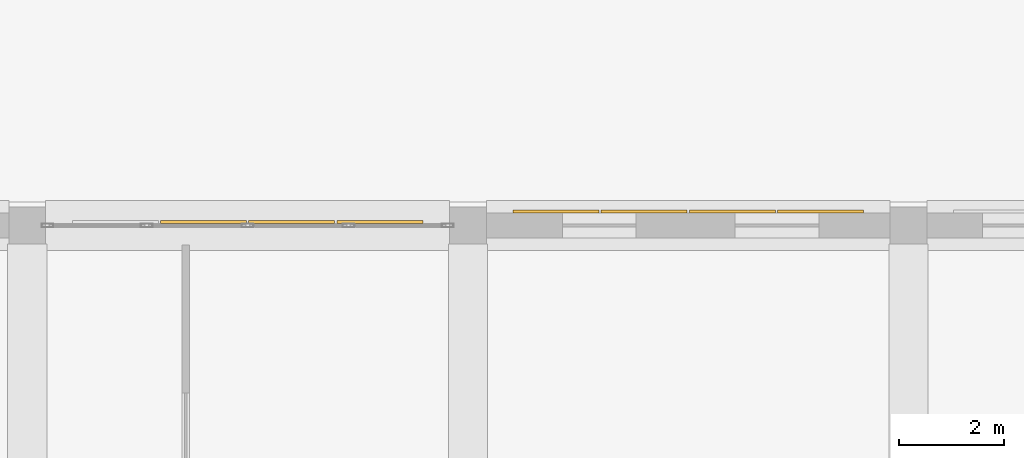
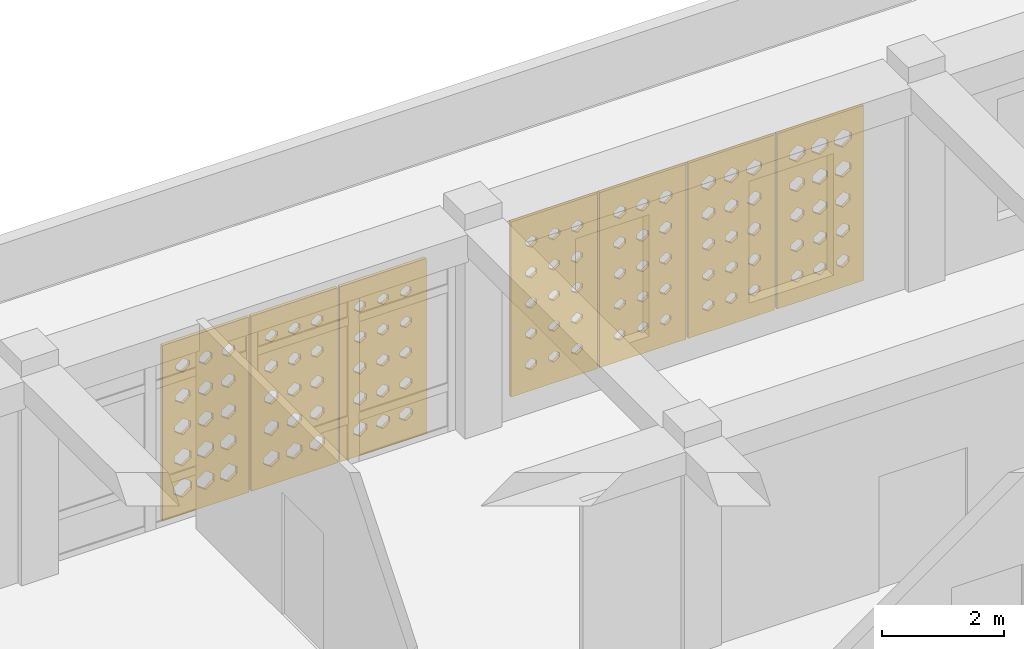
# One storey, part 82 of 100: 7 coverings.
"""IFC4 building model written with IfcOpenShell, lengths in metres."""

import ifcopenshell
import ifcopenshell.guid

model = None  # the IFC model being written
_history = None  # IfcOwnerHistory: only IFC2X3 demands one
_inside = {}  # id of a spatial element -> (the spatial element, [elements in it])
_under = {}  # id of a project, library or spatial element -> (it, [spatial elements below it])
_declared = {}  # id of a project -> (the project, [libraries it declares])
_typed = {}  # id of a type object -> (the type object, [elements of that type])
_made_of = {}  # id of a material, layer set ... -> (it, [elements and type objects made of it])


def new_model(schema):
    """Start an empty IFC model of exactly this schema.

    Asked for "IFC4X3", IfcOpenShell would pick the latest addendum, in which some entities
    have other attributes; the version numbers below select the first issue.
    IFC2X3 requires an IfcOwnerHistory on every rooted entity: one is made here for all.
    """
    global model, _history
    if schema == "IFC4X3":
        model = ifcopenshell.file(schema_version=(4, 3, 0, 0))
    else:
        model = ifcopenshell.file(schema=schema)
    _inside.clear()
    _under.clear()
    _declared.clear()
    _typed.clear()
    _made_of.clear()
    _history = None
    if model.schema == "IFC2X3":
        org = make("IfcOrganization", Name="unknown")
        user = make(
            "IfcPersonAndOrganization",
            ThePerson=make("IfcPerson", FamilyName="unknown"),
            TheOrganization=org,
        )
        app = make(
            "IfcApplication",
            ApplicationDeveloper=org,
            Version="unknown",
            ApplicationFullName="unknown",
            ApplicationIdentifier="unknown",
        )
        _history = make(
            "IfcOwnerHistory",
            OwningUser=user,
            OwningApplication=app,
            ChangeAction="ADDED",
            CreationDate=0,
        )
    return model


def make(cls, **values):
    """One entity of the class cls with the attributes given. An attribute that is None is left unset."""
    return model.create_entity(
        cls, **{name: value for name, value in values.items() if value is not None}
    )


def rooted(cls, **values):
    """An entity with a GlobalId (a new one), such as an element, a storey or a relation."""
    return make(cls, GlobalId=ifcopenshell.guid.new(), OwnerHistory=_history, **values)


def si_unit(unit_type, name, prefix=None):
    """IfcSIUnit, for example si_unit("LENGTHUNIT", "METRE", prefix="MILLI")."""
    return make("IfcSIUnit", UnitType=unit_type, Prefix=prefix, Name=name)


def derived_unit(unit_type, elements):
    """IfcDerivedUnit: a product of units, each with its exponent."""
    return make(
        "IfcDerivedUnit",
        Elements=[
            make("IfcDerivedUnitElement", Unit=unit, Exponent=power)
            for unit, power in elements
        ],
        UnitType=unit_type,
    )


def assignment(units):
    """IfcUnitAssignment: the units of a project."""
    return None if units is None else make("IfcUnitAssignment", Units=units)


def point(xyz):
    """IfcCartesianPoint."""
    return None if xyz is None else make("IfcCartesianPoint", Coordinates=xyz)


def direction(xyz):
    """IfcDirection."""
    return None if xyz is None else make("IfcDirection", DirectionRatios=xyz)


def frame(location, z_axis=None, x_axis=None):
    """IfcAxis2Placement3D, a coordinate frame: its origin and axes. An axis left out is left unset."""
    return make(
        "IfcAxis2Placement3D",
        Location=point(location),
        Axis=direction(z_axis),
        RefDirection=direction(x_axis),
    )


def origin():
    """The frame at (0, 0, 0) with its axes left unset."""
    return frame((0.0, 0.0, 0.0))


def place(relative_to, where):
    """IfcLocalPlacement: puts the frame where relative to a parent placement (None: the world)."""
    return make(
        "IfcLocalPlacement", PlacementRelTo=relative_to, RelativePlacement=where
    )


def context(
    kind, dimensions, precision=None, world=None, true_north=None, identifier=None
):
    """IfcGeometricRepresentationContext, for example the 3D "Model" context."""
    return make(
        "IfcGeometricRepresentationContext",
        ContextIdentifier=identifier,
        ContextType=kind,
        CoordinateSpaceDimension=dimensions,
        Precision=precision,
        WorldCoordinateSystem=world,
        TrueNorth=true_north,
    )


def subcontext(parent, identifier, kind, view, scale=None):
    """IfcGeometricRepresentationSubContext, for example "Body" below "Model"."""
    return make(
        "IfcGeometricRepresentationSubContext",
        ContextIdentifier=identifier,
        ContextType=kind,
        ParentContext=parent,
        TargetScale=scale,
        TargetView=view,
    )


def project(units=None, contexts=None):
    """IfcProject with its units and contexts."""
    return rooted(
        "IfcProject",
        Name="project",
        RepresentationContexts=contexts,
        UnitsInContext=assignment(units),
    )


def spatial(cls, under=None, at=None, **own):
    """A site, building, storey or space (cls), placed at a placement, below another one or the project."""
    s = rooted(cls, ObjectPlacement=at, **own)
    if under is not None:
        _under.setdefault(under.id(), (under, []))[1].append(s)
    return s


def polyline(points):
    """IfcPolyline through the points."""
    return make("IfcPolyline", Points=[point(p) for p in points])


def outline(outer, holes=None, kind="AREA"):
    """IfcArbitraryClosedProfileDef: a profile drawn as a closed curve; with holes, ...WithVoids."""
    if holes is None:
        return make("IfcArbitraryClosedProfileDef", ProfileType=kind, OuterCurve=outer)
    return make(
        "IfcArbitraryProfileDefWithVoids",
        ProfileType=kind,
        OuterCurve=outer,
        InnerCurves=holes,
    )


def extrude(swept, where, along, depth):
    """IfcExtrudedAreaSolid: the profile swept, set in the frame where, extruded along a direction by depth."""
    return make(
        "IfcExtrudedAreaSolid",
        SweptArea=swept,
        Position=where,
        ExtrudedDirection=direction(along),
        Depth=depth,
    )


def shape(context_of_items, identifier, shape_type, items):
    """IfcShapeRepresentation: the items that make up one representation, for example the "Body"."""
    return make(
        "IfcShapeRepresentation",
        ContextOfItems=context_of_items,
        RepresentationIdentifier=identifier,
        RepresentationType=shape_type,
        Items=items,
    )


def material(Name=None, Category=None):
    """IfcMaterial."""
    return make("IfcMaterial", Name=Name, Category=Category)


def layer(
    of_material, thickness, ventilated=None, Name=None, Category=None, Priority=None
):
    """IfcMaterialLayer: one layer of a wall or slab, of a material (None: an air gap)."""
    return make(
        "IfcMaterialLayer",
        Material=of_material,
        LayerThickness=thickness,
        IsVentilated=ventilated,
        Name=Name,
        Category=Category,
        Priority=Priority,
    )


def layer_set(layers, Name=None):
    """IfcMaterialLayerSet."""
    return make("IfcMaterialLayerSet", MaterialLayers=layers, LayerSetName=Name)


def made_of(thing, what):
    """Note that an element or type object is made of a material, layer set ...; save() writes the relation."""
    if what is not None:
        _made_of.setdefault(what.id(), (what, []))[1].append(thing)
    return thing


def type_object(cls, material=None, **own):
    """A type object (cls), such as IfcWallType, which elements share."""
    return made_of(rooted(cls, **own), material)


def element(
    cls,
    number,
    at=None,
    inside=None,
    cuts=None,
    type_object=None,
    material=None,
    context=None,
    identifier="Body",
    shape_type=None,
    held_by="IfcProductDefinitionShape",
    body=None,
    shapes=None,
    **own,
):
    """One element of the class cls, such as IfcWall. Its Tag is "e" and its number.

    at: its placement. inside: the storey or other place that contains it. cuts: it is an
    opening in that element (IfcRelVoidsElement). A single representation is given by context,
    identifier, shape_type and body (its items); several are given by shapes. held_by: the class
    of the entity that holds the representations. save() writes the other relations.
    """
    e = rooted(cls, Tag="e%d" % number, ObjectPlacement=at, **own)
    if body is not None:
        shapes = [shape(context, identifier, shape_type, body)]
    if shapes is not None:
        e.Representation = make(held_by, Representations=shapes)
    if inside is not None:
        _inside.setdefault(inside.id(), (inside, []))[1].append(e)
    if cuts is not None:
        rooted(
            "IfcRelVoidsElement", RelatingBuildingElement=cuts, RelatedOpeningElement=e
        )
    if type_object is not None:
        _typed.setdefault(type_object.id(), (type_object, []))[1].append(e)
    return made_of(e, material)


def aggregate(whole, parts):
    """IfcRelAggregates: a whole, such as a stair, and the parts it consists of."""
    return rooted("IfcRelAggregates", RelatingObject=whole, RelatedObjects=parts)


def save(model, path):
    """Write the relations noted so far, then the file.

    IfcRelAggregates (storeys below a building ...), IfcRelContainedInSpatialStructure (elements
    in a storey), IfcRelDefinesByType, IfcRelAssociatesMaterial and IfcRelDeclares: one each for
    every whole, place, type object, material and project.
    """
    for whole, parts in _under.values():
        aggregate(whole, parts)
    for where, things in _inside.values():
        rooted(
            "IfcRelContainedInSpatialStructure",
            RelatedElements=things,
            RelatingStructure=where,
        )
    for kind, things in _typed.values():
        rooted("IfcRelDefinesByType", RelatedObjects=things, RelatingType=kind)
    for what, things in _made_of.values():
        rooted("IfcRelAssociatesMaterial", RelatedObjects=things, RelatingMaterial=what)
    for by, libraries in _declared.values():
        rooted("IfcRelDeclares", RelatingContext=by, RelatedDefinitions=libraries)
    model.write(path)


model = new_model("IFC4")

# Units and contexts
model_context = context("Model", 3, precision=1e-05, world=origin(), true_north=direction((0.0, 1.0)))
body_context = subcontext(model_context, "Body", "Model", "MODEL_VIEW")
ifc_project = project(units=[si_unit("LENGTHUNIT", "METRE"), si_unit("AREAUNIT", "SQUARE_METRE"), si_unit("VOLUMEUNIT", "CUBIC_METRE"), si_unit("PLANEANGLEUNIT", "RADIAN"), si_unit("MASSUNIT", "GRAM", prefix="KILO"), derived_unit("THERMALTRANSMITTANCEUNIT", [(si_unit("POWERUNIT", "WATT"), 1), (si_unit("LENGTHUNIT", "METRE"), -2), (si_unit("THERMODYNAMICTEMPERATUREUNIT", "KELVIN"), -1)])], contexts=[model_context])

# Site, building, storey
site_placement = place(None, origin())
site = spatial("IfcSite", under=ifc_project, at=site_placement, CompositionType="ELEMENT")
building_placement = place(site_placement, origin())
building = spatial("IfcBuilding", under=site, at=building_placement, Name="Veybourne Emporium", CompositionType="ELEMENT")
storey_placement = place(building_placement, frame((0.0, 0.0, 14.39990234375)))
storey = spatial("IfcBuildingStorey", under=building, at=storey_placement, Name="L03", CompositionType="ELEMENT", Elevation=14.39990234375)

# Coverings
ifc_material = material(Name="Warm-White Perforated Aluminium Screen Alloy", Category="aluminium")
ifc_layer_1 = layer(ifc_material, 0.06005859375)
ifc_layer_set_1 = layer_set([ifc_layer_1], Name="Warm-White Perforated Aluminium Screen Alloy")
covering_type_1 = type_object("IfcCoveringType", Name="WaveScreen_SCR-01", PredefinedType="CLADDING", material=ifc_layer_set_1)
covering_1_placement = place(storey_placement, frame((112.56005859375, 21.694091796875, 1.815185546875), z_axis=(0.0, -1.0, 0.0), x_axis=(1.0, 0.0, 0.0)))
element("IfcCovering", 1, at=covering_1_placement, inside=storey, type_object=covering_type_1, Name="L03 wave-perforated aluminium screen SCR-01 (63C.2)", PredefinedType="CLADDING", context=body_context, shape_type="SweptSolid", body=[
    extrude(outline(polyline([(-0.81982421875, -1.7548828125), (0.81982421875, -1.7548828125), (0.81982421875, 1.7548828125), (-0.81982421875, 1.7548828125), (-0.81982421875, -1.7548828125)]), holes=[polyline([(-0.433349609375, -1.035888671875), (-0.26611328125, -1.15869140625), (-0.26611328125, -1.297119140625), (-0.433349609375, -1.420166015625), (-0.6005859375, -1.297119140625), (-0.6005859375, -1.15869140625), (-0.433349609375, -1.035888671875)]), polyline([(-0.433349609375, -0.43603515625), (-0.277587890625, -0.5498046875), (-0.277587890625, -0.677978515625), (-0.433349609375, -0.7919921875), (-0.589111328125, -0.677978515625), (-0.589111328125, -0.5498046875), (-0.433349609375, -0.43603515625)]), polyline([(-0.433349609375, 0.164306640625), (-0.288818359375, 0.05908203125), (-0.288818359375, -0.05908203125), (-0.433349609375, -0.164306640625), (-0.577880859375, -0.05908203125), (-0.577880859375, 0.05908203125), (-0.433349609375, 0.164306640625)]), polyline([(-0.433349609375, 0.765380859375), (-0.29931640625, 0.66845703125), (-0.29931640625, 0.5595703125), (-0.433349609375, 0.46240234375), (-0.5673828125, 0.5595703125), (-0.5673828125, 0.66845703125), (-0.433349609375, 0.765380859375)]), polyline([(-0.433349609375, 1.367919921875), (-0.308837890625, 1.2783203125), (-0.308837890625, 1.177734375), (-0.433349609375, 1.088134765625), (-0.557861328125, 1.177734375), (-0.557861328125, 1.2783203125), (-0.433349609375, 1.367919921875)]), polyline([(0.0, -1.042236328125), (0.161865234375, -1.1611328125), (0.161865234375, -1.294921875), (0.0, -1.413818359375), (-0.161865234375, -1.294921875), (-0.161865234375, -1.1611328125), (0.0, -1.042236328125)]), polyline([(0.0, -0.4423828125), (0.150390625, -0.55224609375), (0.150390625, -0.67578125), (0.0, -0.78564453125), (-0.150390625, -0.67578125), (-0.150390625, -0.55224609375), (0.0, -0.4423828125)]), polyline([(0.0, 0.158447265625), (0.1396484375, 0.056884765625), (0.1396484375, -0.056884765625), (0.0, -0.158447265625), (-0.1396484375, -0.056884765625), (-0.1396484375, 0.056884765625), (0.0, 0.158447265625)]), polyline([(0.0, 0.760009765625), (0.12939453125, 0.66650390625), (0.12939453125, 0.561279296875), (0.0, 0.468017578125), (-0.12939453125, 0.561279296875), (-0.12939453125, 0.66650390625), (0.0, 0.760009765625)]), polyline([(0.0, 1.363037109375), (0.12060546875, 1.276611328125), (0.12060546875, 1.179443359375), (0.0, 1.093017578125), (-0.12060546875, 1.179443359375), (-0.12060546875, 1.276611328125), (0.0, 1.363037109375)]), polyline([(0.433349609375, -1.048583984375), (0.590087890625, -1.163330078125), (0.590087890625, -1.29248046875), (0.433349609375, -1.4072265625), (0.276611328125, -1.29248046875), (0.276611328125, -1.163330078125), (0.433349609375, -1.048583984375)]), polyline([(0.433349609375, -0.448486328125), (0.578857421875, -0.554443359375), (0.578857421875, -0.673583984375), (0.433349609375, -0.779541015625), (0.287841796875, -0.673583984375), (0.287841796875, -0.554443359375), (0.433349609375, -0.448486328125)]), polyline([(0.433349609375, 0.152587890625), (0.568115234375, 0.054931640625), (0.568115234375, -0.054931640625), (0.433349609375, -0.152587890625), (0.29833984375, -0.054931640625), (0.29833984375, 0.054931640625), (0.433349609375, 0.152587890625)]), polyline([(0.433349609375, 0.7548828125), (0.55859375, 0.664794921875), (0.55859375, 0.563232421875), (0.433349609375, 0.47314453125), (0.30810546875, 0.563232421875), (0.30810546875, 0.664794921875), (0.433349609375, 0.7548828125)]), polyline([(0.433349609375, 1.358642578125), (0.55029296875, 1.27490234375), (0.55029296875, 1.180908203125), (0.433349609375, 1.097412109375), (0.31640625, 1.180908203125), (0.31640625, 1.27490234375), (0.433349609375, 1.358642578125)])]), origin(), (0.0, 0.0, 1.0), 0.06005859375),
])
covering_2_placement = place(storey_placement, frame((124.320068359375, 21.89794921875, 1.815185546875), z_axis=(0.0, -1.0, 0.0), x_axis=(1.0, 0.0, 0.0)))
element("IfcCovering", 2, at=covering_2_placement, inside=storey, type_object=covering_type_1, Name="L03 wave-perforated aluminium screen SCR-01 (65.4)", PredefinedType="CLADDING", context=body_context, shape_type="SweptSolid", body=[
    extrude(outline(polyline([(-0.81982421875, -1.7548828125), (0.81982421875, -1.7548828125), (0.81982421875, 1.7548828125), (-0.81982421875, 1.7548828125), (-0.81982421875, -1.7548828125)]), holes=[polyline([(-0.433349609375, -1.104248046875), (-0.322021484375, -1.183349609375), (-0.322021484375, -1.272705078125), (-0.433349609375, -1.351806640625), (-0.544677734375, -1.272705078125), (-0.544677734375, -1.183349609375), (-0.433349609375, -1.104248046875)]), polyline([(-0.433349609375, -0.4814453125), (-0.314697265625, -0.566162109375), (-0.314697265625, -0.661865234375), (-0.433349609375, -0.74658203125), (-0.552001953125, -0.661865234375), (-0.552001953125, -0.566162109375), (-0.433349609375, -0.4814453125)]), polyline([(-0.433349609375, 0.143310546875), (-0.30615234375, 0.051513671875), (-0.30615234375, -0.051513671875), (-0.433349609375, -0.143310546875), (-0.560546875, -0.051513671875), (-0.560546875, 0.051513671875), (-0.433349609375, 0.143310546875)]), polyline([(-0.433349609375, 0.769287109375), (-0.29638671875, 0.669921875), (-0.29638671875, 0.55810546875), (-0.433349609375, 0.458740234375), (-0.5703125, 0.55810546875), (-0.5703125, 0.669921875), (-0.433349609375, 0.769287109375)]), polyline([(-0.433349609375, 1.396484375), (-0.285400390625, 1.28857421875), (-0.285400390625, 1.16748046875), (-0.433349609375, 1.0595703125), (-0.5810546875, 1.16748046875), (-0.5810546875, 1.28857421875), (-0.433349609375, 1.396484375)]), polyline([(0.0, -1.100341796875), (0.114501953125, -1.18212890625), (0.114501953125, -1.27392578125), (0.0, -1.355712890625), (-0.114501953125, -1.27392578125), (-0.114501953125, -1.18212890625), (0.0, -1.100341796875)]), polyline([(0.0, -0.476806640625), (0.122314453125, -0.564697265625), (0.122314453125, -0.663330078125), (0.0, -0.751220703125), (-0.122314453125, -0.663330078125), (-0.122314453125, -0.564697265625), (0.0, -0.476806640625)]), polyline([(0.0, 0.1484375), (0.131591796875, 0.053466796875), (0.131591796875, -0.053466796875), (0.0, -0.1484375), (-0.131591796875, -0.053466796875), (-0.131591796875, 0.053466796875), (0.0, 0.1484375)]), polyline([(0.0, 0.775146484375), (0.141845703125, 0.672119140625), (0.141845703125, 0.555908203125), (0.0, 0.452880859375), (-0.141845703125, 0.555908203125), (-0.141845703125, 0.672119140625), (0.0, 0.775146484375)]), polyline([(0.0, 1.402587890625), (0.15283203125, 1.291015625), (0.15283203125, 1.1650390625), (0.0, 1.05322265625), (-0.15283203125, 1.1650390625), (-0.15283203125, 1.291015625), (0.0, 1.402587890625)]), polyline([(0.433349609375, -1.09619140625), (0.551025390625, -1.1806640625), (0.551025390625, -1.275390625), (0.433349609375, -1.359619140625), (0.3154296875, -1.275390625), (0.3154296875, -1.1806640625), (0.433349609375, -1.09619140625)]), polyline([(0.433349609375, -0.4716796875), (0.559814453125, -0.562744140625), (0.559814453125, -0.665283203125), (0.433349609375, -0.756103515625), (0.306884765625, -0.665283203125), (0.306884765625, -0.562744140625), (0.433349609375, -0.4716796875)]), polyline([(0.433349609375, 0.154052734375), (0.5693359375, 0.055419921875), (0.5693359375, -0.055419921875), (0.433349609375, -0.154052734375), (0.297119140625, -0.055419921875), (0.297119140625, 0.055419921875), (0.433349609375, 0.154052734375)]), polyline([(0.433349609375, 0.78125), (0.580078125, 0.67431640625), (0.580078125, 0.5537109375), (0.433349609375, 0.44677734375), (0.28662109375, 0.5537109375), (0.28662109375, 0.67431640625), (0.433349609375, 0.78125)]), polyline([(0.433349609375, 1.408935546875), (0.59130859375, 1.293212890625), (0.59130859375, 1.162841796875), (0.433349609375, 1.047119140625), (0.275390625, 1.162841796875), (0.275390625, 1.293212890625), (0.433349609375, 1.408935546875)])]), origin(), (0.0, 0.0, 1.0), 0.06005859375),
])
ifc_layer_2 = layer(ifc_material, 0.06005859375)
ifc_layer_set_2 = layer_set([ifc_layer_2], Name="Warm-White Perforated Aluminium Screen Alloy")
covering_type_2 = type_object("IfcCoveringType", Name="WaveScreen_SCR-02", PredefinedType="CLADDING", material=ifc_layer_set_2)
covering_3_placement = place(storey_placement, frame((114.239990234375, 21.694091796875, 1.815185546875), z_axis=(0.0, -1.0, 0.0), x_axis=(1.0, 0.0, 0.0)))
element("IfcCovering", 3, at=covering_3_placement, inside=storey, type_object=covering_type_2, Name="L03 wave-perforated aluminium screen SCR-02 (63C.3)", PredefinedType="CLADDING", context=body_context, shape_type="SweptSolid", body=[
    extrude(outline(polyline([(-0.81982421875, -1.7548828125), (0.81982421875, -1.7548828125), (0.81982421875, 1.7548828125), (-0.81982421875, 1.7548828125), (-0.81982421875, -1.7548828125)]), holes=[polyline([(-0.433349609375, -1.060302734375), (-0.2861328125, -1.167724609375), (-0.2861328125, -1.288330078125), (-0.433349609375, -1.3955078125), (-0.58056640625, -1.288330078125), (-0.58056640625, -1.167724609375), (-0.433349609375, -1.060302734375)]), polyline([(-0.433349609375, -0.45947265625), (-0.296875, -0.558349609375), (-0.296875, -0.669677734375), (-0.433349609375, -0.7685546875), (-0.569580078125, -0.669677734375), (-0.569580078125, -0.558349609375), (-0.433349609375, -0.45947265625)]), polyline([(-0.433349609375, 0.142578125), (-0.306640625, 0.05126953125), (-0.306640625, -0.05126953125), (-0.433349609375, -0.142578125), (-0.56005859375, -0.05126953125), (-0.56005859375, 0.05126953125), (-0.433349609375, 0.142578125)]), polyline([(-0.433349609375, 0.74609375), (-0.315185546875, 0.66162109375), (-0.315185546875, 0.56640625), (-0.433349609375, 0.48193359375), (-0.551513671875, 0.56640625), (-0.551513671875, 0.66162109375), (-0.433349609375, 0.74609375)]), polyline([(-0.433349609375, 1.351318359375), (-0.322509765625, 1.2724609375), (-0.322509765625, 1.18359375), (-0.433349609375, 1.104736328125), (-0.544189453125, 1.18359375), (-0.544189453125, 1.2724609375), (-0.433349609375, 1.351318359375)]), polyline([(0.0, -1.06640625), (0.14208984375, -1.169921875), (0.14208984375, -1.2861328125), (0.0, -1.389404296875), (-0.14208984375, -1.2861328125), (-0.14208984375, -1.169921875), (0.0, -1.06640625)]), polyline([(0.0, -0.465087890625), (0.1318359375, -0.560302734375), (0.1318359375, -0.66748046875), (0.0, -0.762939453125), (-0.1318359375, -0.66748046875), (-0.1318359375, -0.560302734375), (0.0, -0.465087890625)]), polyline([(0.0, 0.1376953125), (0.12255859375, 0.049560546875), (0.12255859375, -0.049560546875), (0.0, -0.1376953125), (-0.12255859375, -0.049560546875), (-0.12255859375, 0.049560546875), (0.0, 0.1376953125)]), polyline([(0.0, 0.74169921875), (0.114501953125, 0.659912109375), (0.114501953125, 0.568115234375), (0.0, 0.486083984375), (-0.114501953125, 0.568115234375), (-0.114501953125, 0.659912109375), (0.0, 0.74169921875)]), polyline([(0.0, 1.347900390625), (0.108154296875, 1.271240234375), (0.108154296875, 1.184814453125), (0.0, 1.10791015625), (-0.108154296875, 1.184814453125), (-0.108154296875, 1.271240234375), (0.0, 1.347900390625)]), polyline([(0.433349609375, -1.072265625), (0.57080078125, -1.172119140625), (0.57080078125, -1.283935546875), (0.433349609375, -1.3837890625), (0.2958984375, -1.283935546875), (0.2958984375, -1.172119140625), (0.433349609375, -1.072265625)]), polyline([(0.433349609375, -0.470458984375), (0.560791015625, -0.562255859375), (0.560791015625, -0.665771484375), (0.433349609375, -0.757568359375), (0.305908203125, -0.665771484375), (0.305908203125, -0.562255859375), (0.433349609375, -0.470458984375)]), polyline([(0.433349609375, 0.1328125), (0.552001953125, 0.0478515625), (0.552001953125, -0.0478515625), (0.433349609375, -0.1328125), (0.314697265625, -0.0478515625), (0.314697265625, 0.0478515625), (0.433349609375, 0.1328125)]), polyline([(0.433349609375, 0.738037109375), (0.544921875, 0.65869140625), (0.544921875, 0.5693359375), (0.433349609375, 0.489990234375), (0.32177734375, 0.5693359375), (0.32177734375, 0.65869140625), (0.433349609375, 0.738037109375)]), polyline([(0.433349609375, 1.34521484375), (0.539306640625, 1.270263671875), (0.539306640625, 1.185791015625), (0.433349609375, 1.11083984375), (0.327392578125, 1.185791015625), (0.327392578125, 1.270263671875), (0.433349609375, 1.34521484375)])]), origin(), (0.0, 0.0, 1.0), 0.06005859375),
])
covering_4_placement = place(storey_placement, frame((119.280029296875, 21.89794921875, 1.815185546875), z_axis=(0.0, -1.0, 0.0), x_axis=(1.0, 0.0, 0.0)))
element("IfcCovering", 4, at=covering_4_placement, inside=storey, type_object=covering_type_2, Name="L03 wave-perforated aluminium screen SCR-02 (65.1)", PredefinedType="CLADDING", context=body_context, shape_type="SweptSolid", body=[
    extrude(outline(polyline([(-0.81982421875, -1.7548828125), (0.81982421875, -1.7548828125), (0.81982421875, 1.7548828125), (-0.81982421875, 1.7548828125), (-0.81982421875, -1.7548828125)]), holes=[polyline([(-0.433349609375, -1.11376953125), (-0.329833984375, -1.18701171875), (-0.329833984375, -1.26904296875), (-0.433349609375, -1.34228515625), (-0.536865234375, -1.26904296875), (-0.536865234375, -1.18701171875), (-0.433349609375, -1.11376953125)]), polyline([(-0.433349609375, -0.503173828125), (-0.33251953125, -0.57421875), (-0.33251953125, -0.65380859375), (-0.433349609375, -0.724853515625), (-0.5341796875, -0.65380859375), (-0.5341796875, -0.57421875), (-0.433349609375, -0.503173828125)]), polyline([(-0.433349609375, 0.110107421875), (-0.333251953125, 0.03955078125), (-0.333251953125, -0.03955078125), (-0.433349609375, -0.110107421875), (-0.533447265625, -0.03955078125), (-0.533447265625, 0.03955078125), (-0.433349609375, 0.110107421875)]), polyline([(-0.433349609375, 0.7255859375), (-0.33203125, 0.654296875), (-0.33203125, 0.57373046875), (-0.433349609375, 0.50244140625), (-0.53466796875, 0.57373046875), (-0.53466796875, 0.654296875), (-0.433349609375, 0.7255859375)]), polyline([(-0.433349609375, 1.343505859375), (-0.328857421875, 1.26953125), (-0.328857421875, 1.186279296875), (-0.433349609375, 1.112548828125), (-0.537841796875, 1.186279296875), (-0.537841796875, 1.26953125), (-0.433349609375, 1.343505859375)]), polyline([(0.0, -1.115478515625), (0.10205078125, -1.1875), (0.10205078125, -1.2685546875), (0.0, -1.34033203125), (-0.10205078125, -1.2685546875), (-0.10205078125, -1.1875), (0.0, -1.115478515625)]), polyline([(0.0, -0.50390625), (0.10009765625, -0.57421875), (0.10009765625, -0.65380859375), (0.0, -0.72412109375), (-0.10009765625, -0.65380859375), (-0.10009765625, -0.57421875), (0.0, -0.50390625)]), polyline([(0.0, 0.1103515625), (0.100341796875, 0.039794921875), (0.100341796875, -0.039794921875), (0.0, -0.1103515625), (-0.100341796875, -0.039794921875), (-0.100341796875, 0.039794921875), (0.0, 0.1103515625)]), polyline([(0.0, 0.72705078125), (0.1025390625, 0.65478515625), (0.1025390625, 0.5732421875), (0.0, 0.5009765625), (-0.1025390625, 0.5732421875), (-0.1025390625, 0.65478515625), (0.0, 0.72705078125)]), polyline([(0.0, 1.34619140625), (0.106689453125, 1.2705078125), (0.106689453125, 1.185546875), (0.0, 1.10986328125), (-0.106689453125, 1.185546875), (-0.106689453125, 1.2705078125), (0.0, 1.34619140625)]), polyline([(0.433349609375, -1.116943359375), (0.5341796875, -1.18798828125), (0.5341796875, -1.26806640625), (0.433349609375, -1.339111328125), (0.33251953125, -1.26806640625), (0.33251953125, -1.18798828125), (0.433349609375, -1.116943359375)]), polyline([(0.433349609375, -0.50390625), (0.533203125, -0.574462890625), (0.533203125, -0.653564453125), (0.433349609375, -0.72412109375), (0.333251953125, -0.653564453125), (0.333251953125, -0.574462890625), (0.433349609375, -0.50390625)]), polyline([(0.433349609375, 0.111328125), (0.534423828125, 0.0400390625), (0.534423828125, -0.0400390625), (0.433349609375, -0.111328125), (0.332275390625, -0.0400390625), (0.332275390625, 0.0400390625), (0.433349609375, 0.111328125)]), polyline([(0.433349609375, 0.72900390625), (0.53759765625, 0.655517578125), (0.53759765625, 0.572509765625), (0.433349609375, 0.4990234375), (0.3291015625, 0.572509765625), (0.3291015625, 0.655517578125), (0.433349609375, 0.72900390625)]), polyline([(0.433349609375, 1.34912109375), (0.54248046875, 1.271484375), (0.54248046875, 1.184326171875), (0.433349609375, 1.10693359375), (0.32421875, 1.184326171875), (0.32421875, 1.271484375), (0.433349609375, 1.34912109375)])]), origin(), (0.0, 0.0, 1.0), 0.06005859375),
])
ifc_layer_3 = layer(ifc_material, 0.06005859375)
ifc_layer_set_3 = layer_set([ifc_layer_3], Name="Warm-White Perforated Aluminium Screen Alloy")
covering_type_3 = type_object("IfcCoveringType", Name="WaveScreen_SCR-03", PredefinedType="CLADDING", material=ifc_layer_set_3)
covering_5_placement = place(storey_placement, frame((115.919921875, 21.694091796875, 1.815185546875), z_axis=(0.0, -1.0, 0.0), x_axis=(1.0, 0.0, 0.0)))
element("IfcCovering", 5, at=covering_5_placement, inside=storey, type_object=covering_type_3, Name="L03 wave-perforated aluminium screen SCR-03 (63C.4)", PredefinedType="CLADDING", context=body_context, shape_type="SweptSolid", body=[
    extrude(outline(polyline([(-0.81982421875, -1.7548828125), (0.81982421875, -1.7548828125), (0.81982421875, 1.7548828125), (-0.81982421875, 1.7548828125), (-0.81982421875, -1.7548828125)]), holes=[polyline([(-0.433349609375, -1.082763671875), (-0.304443359375, -1.17578125), (-0.304443359375, -1.2802734375), (-0.433349609375, -1.373291015625), (-0.562255859375, -1.2802734375), (-0.562255859375, -1.17578125), (-0.433349609375, -1.082763671875)]), polyline([(-0.433349609375, -0.4794921875), (-0.3134765625, -0.565673828125), (-0.3134765625, -0.662353515625), (-0.433349609375, -0.748291015625), (-0.55322265625, -0.662353515625), (-0.55322265625, -0.565673828125), (-0.433349609375, -0.4794921875)]), polyline([(-0.433349609375, 0.125244140625), (-0.32080078125, 0.045166015625), (-0.32080078125, -0.045166015625), (-0.433349609375, -0.125244140625), (-0.5458984375, -0.045166015625), (-0.5458984375, 0.045166015625), (-0.433349609375, 0.125244140625)]), polyline([(-0.433349609375, 0.732177734375), (-0.32666015625, 0.656494140625), (-0.32666015625, 0.571533203125), (-0.433349609375, 0.495849609375), (-0.539794921875, 0.571533203125), (-0.539794921875, 0.656494140625), (-0.433349609375, 0.732177734375)]), polyline([(-0.433349609375, 1.341064453125), (-0.330810546875, 1.268798828125), (-0.330810546875, 1.187255859375), (-0.433349609375, 1.114990234375), (-0.535888671875, 1.187255859375), (-0.535888671875, 1.268798828125), (-0.433349609375, 1.341064453125)]), polyline([(0.0, -1.087890625), (0.124755859375, -1.177490234375), (0.124755859375, -1.278564453125), (0.0, -1.3681640625), (-0.124755859375, -1.278564453125), (-0.124755859375, -1.177490234375), (0.0, -1.087890625)]), polyline([(0.0, -0.48388671875), (0.116455078125, -0.567138671875), (0.116455078125, -0.660888671875), (0.0, -0.743896484375), (-0.116455078125, -0.660888671875), (-0.116455078125, -0.567138671875), (0.0, -0.48388671875)]), polyline([(0.0, 0.12158203125), (0.109619140625, 0.043701171875), (0.109619140625, -0.043701171875), (0.0, -0.12158203125), (-0.109619140625, -0.043701171875), (-0.109619140625, 0.043701171875), (0.0, 0.12158203125)]), polyline([(0.0, 0.7294921875), (0.1044921875, 0.655517578125), (0.1044921875, 0.572509765625), (0.0, 0.49853515625), (-0.1044921875, 0.572509765625), (-0.1044921875, 0.655517578125), (0.0, 0.7294921875)]), polyline([(0.0, 1.339599609375), (0.101318359375, 1.268310546875), (0.101318359375, 1.187744140625), (0.0, 1.116455078125), (-0.101318359375, 1.187744140625), (-0.101318359375, 1.268310546875), (0.0, 1.339599609375)]), polyline([(0.433349609375, -1.092529296875), (0.55419921875, -1.17919921875), (0.55419921875, -1.276611328125), (0.433349609375, -1.36328125), (0.3125, -1.276611328125), (0.3125, -1.17919921875), (0.433349609375, -1.092529296875)]), polyline([(0.433349609375, -0.488037109375), (0.54638671875, -0.568603515625), (0.54638671875, -0.659423828125), (0.433349609375, -0.739990234375), (0.3203125, -0.659423828125), (0.3203125, -0.568603515625), (0.433349609375, -0.488037109375)]), polyline([(0.433349609375, 0.11865234375), (0.540283203125, 0.042724609375), (0.540283203125, -0.042724609375), (0.433349609375, -0.11865234375), (0.326416015625, -0.042724609375), (0.326416015625, 0.042724609375), (0.433349609375, 0.11865234375)]), polyline([(0.433349609375, 0.727294921875), (0.5361328125, 0.65478515625), (0.5361328125, 0.5732421875), (0.433349609375, 0.50048828125), (0.33056640625, 0.5732421875), (0.33056640625, 0.65478515625), (0.433349609375, 0.727294921875)]), polyline([(0.433349609375, 1.338623046875), (0.53369140625, 1.267822265625), (0.53369140625, 1.188232421875), (0.433349609375, 1.117431640625), (0.3330078125, 1.188232421875), (0.3330078125, 1.267822265625), (0.433349609375, 1.338623046875)])]), origin(), (0.0, 0.0, 1.0), 0.06005859375),
])
covering_6_placement = place(storey_placement, frame((120.9599609375, 21.89794921875, 1.815185546875), z_axis=(0.0, -1.0, 0.0), x_axis=(1.0, 0.0, 0.0)))
element("IfcCovering", 6, at=covering_6_placement, inside=storey, type_object=covering_type_3, Name="L03 wave-perforated aluminium screen SCR-03 (65.2)", PredefinedType="CLADDING", context=body_context, shape_type="SweptSolid", body=[
    extrude(outline(polyline([(-0.81982421875, -1.7548828125), (0.81982421875, -1.7548828125), (0.81982421875, 1.7548828125), (-0.81982421875, 1.7548828125), (-0.81982421875, -1.7548828125)]), holes=[polyline([(-0.433349609375, -1.117919921875), (-0.333251953125, -1.1884765625), (-0.333251953125, -1.267578125), (-0.433349609375, -1.337890625), (-0.533203125, -1.267578125), (-0.533203125, -1.1884765625), (-0.433349609375, -1.117919921875)]), polyline([(-0.433349609375, -0.5029296875), (-0.33251953125, -0.573974609375), (-0.33251953125, -0.654052734375), (-0.433349609375, -0.72509765625), (-0.5341796875, -0.654052734375), (-0.5341796875, -0.573974609375), (-0.433349609375, -0.5029296875)]), polyline([(-0.433349609375, 0.1142578125), (-0.329833984375, 0.041259765625), (-0.329833984375, -0.041259765625), (-0.433349609375, -0.1142578125), (-0.536865234375, -0.041259765625), (-0.536865234375, 0.041259765625), (-0.433349609375, 0.1142578125)]), polyline([(-0.433349609375, 0.73388671875), (-0.3251953125, 0.6572265625), (-0.3251953125, 0.57080078125), (-0.433349609375, 0.493896484375), (-0.54150390625, 0.57080078125), (-0.54150390625, 0.6572265625), (-0.433349609375, 0.73388671875)]), polyline([(-0.433349609375, 1.355712890625), (-0.318603515625, 1.27392578125), (-0.318603515625, 1.181884765625), (-0.433349609375, 1.10009765625), (-0.5478515625, 1.181884765625), (-0.5478515625, 1.27392578125), (-0.433349609375, 1.355712890625)]), polyline([(0.0, -1.117919921875), (0.10009765625, -1.188232421875), (0.10009765625, -1.267578125), (0.0, -1.338134765625), (-0.10009765625, -1.267578125), (-0.10009765625, -1.188232421875), (0.0, -1.117919921875)]), polyline([(0.0, -0.501708984375), (0.101806640625, -0.573486328125), (0.101806640625, -0.654296875), (0.0, -0.726318359375), (-0.101806640625, -0.654296875), (-0.101806640625, -0.573486328125), (0.0, -0.501708984375)]), polyline([(0.0, 0.11669921875), (0.10546875, 0.0419921875), (0.10546875, -0.0419921875), (0.0, -0.11669921875), (-0.10546875, -0.0419921875), (-0.10546875, 0.0419921875), (0.0, 0.11669921875)]), polyline([(0.0, 0.7373046875), (0.11083984375, 0.658447265625), (0.11083984375, 0.569580078125), (0.0, 0.49072265625), (-0.11083984375, 0.569580078125), (-0.11083984375, 0.658447265625), (0.0, 0.7373046875)]), polyline([(0.0, 1.360107421875), (0.117919921875, 1.275390625), (0.117919921875, 1.180419921875), (0.0, 1.095947265625), (-0.117919921875, 1.180419921875), (-0.117919921875, 1.275390625), (0.0, 1.360107421875)]), polyline([(0.433349609375, -1.1171875), (0.533935546875, -1.18798828125), (0.533935546875, -1.267822265625), (0.433349609375, -1.3388671875), (0.332763671875, -1.267822265625), (0.332763671875, -1.18798828125), (0.433349609375, -1.1171875)]), polyline([(0.433349609375, -0.5), (0.53662109375, -0.572998046875), (0.53662109375, -0.655029296875), (0.433349609375, -0.727783203125), (0.330078125, -0.655029296875), (0.330078125, -0.572998046875), (0.433349609375, -0.5)]), polyline([(0.433349609375, 0.119384765625), (0.541015625, 0.04296875), (0.541015625, -0.04296875), (0.433349609375, -0.119384765625), (0.32568359375, -0.04296875), (0.32568359375, 0.04296875), (0.433349609375, 0.119384765625)]), polyline([(0.433349609375, 0.740966796875), (0.54736328125, 0.65966796875), (0.54736328125, 0.568359375), (0.433349609375, 0.487060546875), (0.3193359375, 0.568359375), (0.3193359375, 0.65966796875), (0.433349609375, 0.740966796875)]), polyline([(0.433349609375, 1.364501953125), (0.55517578125, 1.277099609375), (0.55517578125, 1.1787109375), (0.433349609375, 1.09130859375), (0.3115234375, 1.1787109375), (0.3115234375, 1.277099609375), (0.433349609375, 1.364501953125)])]), origin(), (0.0, 0.0, 1.0), 0.06005859375),
])
ifc_layer_4 = layer(ifc_material, 0.06005859375)
ifc_layer_set_4 = layer_set([ifc_layer_4], Name="Warm-White Perforated Aluminium Screen Alloy")
covering_type_4 = type_object("IfcCoveringType", Name="WaveScreen_SCR-04", PredefinedType="CLADDING", material=ifc_layer_set_4)
covering_7_placement = place(storey_placement, frame((122.639892578125, 21.89794921875, 1.815185546875), z_axis=(0.0, -1.0, 0.0), x_axis=(1.0, 0.0, 0.0)))
element("IfcCovering", 7, at=covering_7_placement, inside=storey, type_object=covering_type_4, Name="L03 wave-perforated aluminium screen SCR-04 (65.3)", PredefinedType="CLADDING", context=body_context, shape_type="SweptSolid", body=[
    extrude(outline(polyline([(-0.81982421875, -1.7548828125), (0.81982421875, -1.7548828125), (0.81982421875, 1.7548828125), (-0.81982421875, 1.7548828125), (-0.81982421875, -1.7548828125)]), holes=[polyline([(-0.433349609375, -1.11474609375), (-0.33056640625, -1.187255859375), (-0.33056640625, -1.268798828125), (-0.433349609375, -1.34130859375), (-0.535888671875, -1.268798828125), (-0.535888671875, -1.187255859375), (-0.433349609375, -1.11474609375)]), polyline([(-0.433349609375, -0.49560546875), (-0.326416015625, -0.5712890625), (-0.326416015625, -0.656494140625), (-0.433349609375, -0.732421875), (-0.540283203125, -0.656494140625), (-0.540283203125, -0.5712890625), (-0.433349609375, -0.49560546875)]), polyline([(-0.433349609375, 0.125732421875), (-0.3203125, 0.04541015625), (-0.3203125, -0.04541015625), (-0.433349609375, -0.125732421875), (-0.546142578125, -0.04541015625), (-0.546142578125, 0.04541015625), (-0.433349609375, 0.125732421875)]), polyline([(-0.433349609375, 0.7490234375), (-0.312744140625, 0.66259765625), (-0.312744140625, 0.5654296875), (-0.433349609375, 0.47900390625), (-0.5537109375, 0.5654296875), (-0.5537109375, 0.66259765625), (-0.433349609375, 0.7490234375)]), polyline([(-0.433349609375, 1.3740234375), (-0.303955078125, 1.280517578125), (-0.303955078125, 1.17529296875), (-0.433349609375, 1.08203125), (-0.562744140625, 1.17529296875), (-0.562744140625, 1.280517578125), (-0.433349609375, 1.3740234375)]), polyline([(0.0, -1.112548828125), (0.1044921875, -1.1865234375), (0.1044921875, -1.26953125), (0.0, -1.343505859375), (-0.1044921875, -1.26953125), (-0.1044921875, -1.1865234375), (0.0, -1.112548828125)]), polyline([(0.0, -0.492431640625), (0.109375, -0.5703125), (0.109375, -0.65771484375), (0.0, -0.735595703125), (-0.109375, -0.65771484375), (-0.109375, -0.5703125), (0.0, -0.492431640625)]), polyline([(0.0, 0.129638671875), (0.1162109375, 0.046630859375), (0.1162109375, -0.046630859375), (0.0, -0.129638671875), (-0.1162109375, -0.046630859375), (-0.1162109375, 0.046630859375), (0.0, 0.129638671875)]), polyline([(0.0, 0.75390625), (0.12451171875, 0.664306640625), (0.12451171875, 0.563720703125), (0.0, 0.47412109375), (-0.12451171875, 0.563720703125), (-0.12451171875, 0.664306640625), (0.0, 0.75390625)]), polyline([(0.0, 1.37939453125), (0.1337890625, 1.282470703125), (0.1337890625, 1.173583984375), (0.0, 1.076416015625), (-0.1337890625, 1.173583984375), (-0.1337890625, 1.282470703125), (0.0, 1.37939453125)]), polyline([(0.433349609375, -1.110107421875), (0.539794921875, -1.185546875), (0.539794921875, -1.2705078125), (0.433349609375, -1.345947265625), (0.326904296875, -1.2705078125), (0.326904296875, -1.185546875), (0.433349609375, -1.110107421875)]), polyline([(0.433349609375, -0.489013671875), (0.545654296875, -0.569091796875), (0.545654296875, -0.658935546875), (0.433349609375, -0.739013671875), (0.321044921875, -0.658935546875), (0.321044921875, -0.569091796875), (0.433349609375, -0.489013671875)]), polyline([(0.433349609375, 0.134033203125), (0.552978515625, 0.04833984375), (0.552978515625, -0.04833984375), (0.433349609375, -0.134033203125), (0.313720703125, -0.04833984375), (0.313720703125, 0.04833984375), (0.433349609375, 0.134033203125)]), polyline([(0.433349609375, 0.7587890625), (0.56201171875, 0.666259765625), (0.56201171875, 0.561767578125), (0.433349609375, 0.468994140625), (0.3046875, 0.561767578125), (0.3046875, 0.666259765625), (0.433349609375, 0.7587890625)]), polyline([(0.433349609375, 1.38525390625), (0.572021484375, 1.28466796875), (0.572021484375, 1.17138671875), (0.433349609375, 1.07080078125), (0.294677734375, 1.17138671875), (0.294677734375, 1.28466796875), (0.433349609375, 1.38525390625)])]), origin(), (0.0, 0.0, 1.0), 0.06005859375),
])

save(model, "model.ifc")
